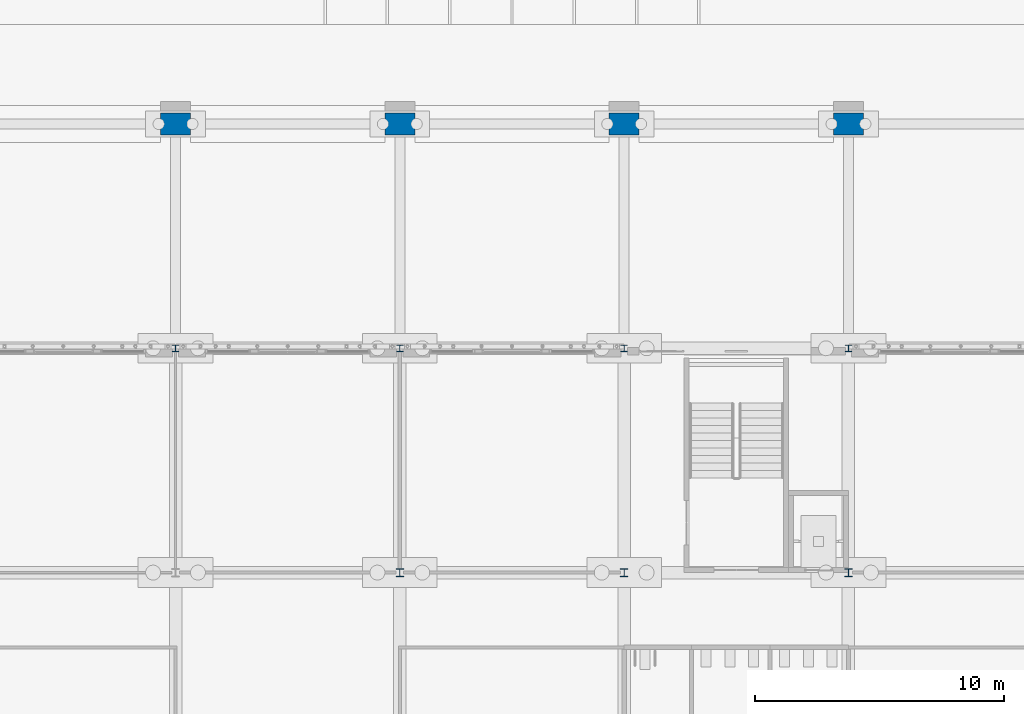
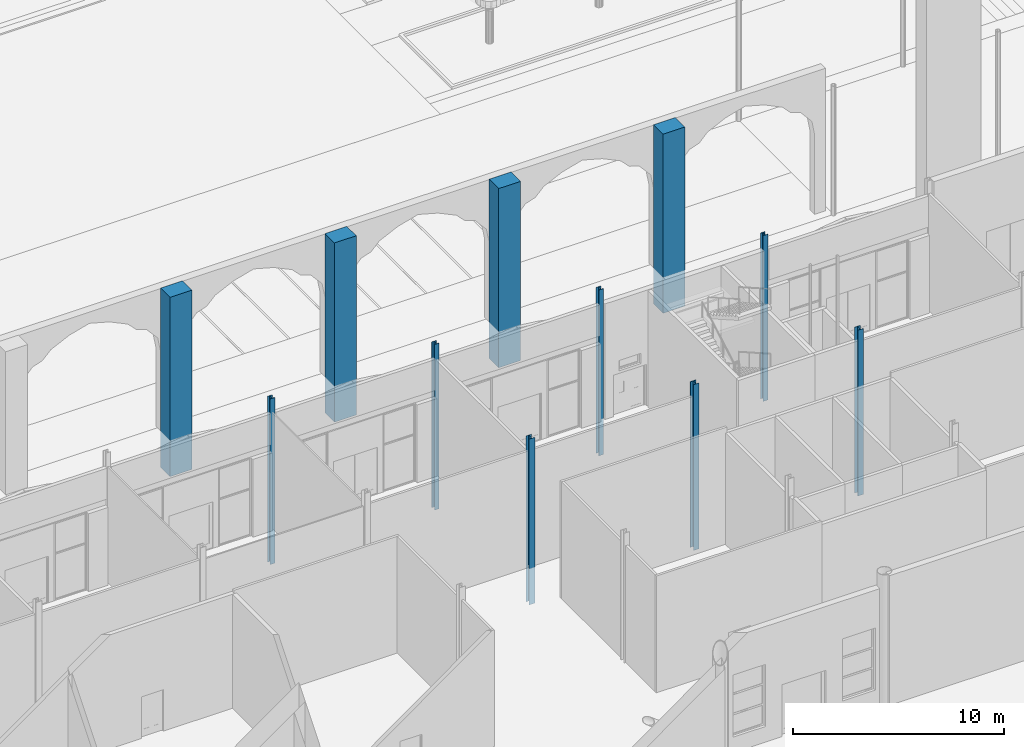
# One storey, part 19 of 250: 11 columns.
"""IFC4 building model written with IfcOpenShell, lengths in metres."""

from ifc_helpers import new_model, si_unit, direction, frame, origin, origin_2d, place, context, subcontext, project, spatial, rectangle, i_section, extrude, material, material_profile, profile_set, type_object, element, save


model = new_model("IFC4")

# Units and contexts
model_context = context("Model", 3, precision=1e-05, world=origin(), true_north=direction((0.0, 1.0)))
body_context = subcontext(model_context, "Body", "Model", "MODEL_VIEW")
ifc_project = project(units=[si_unit("LENGTHUNIT", "METRE"), si_unit("AREAUNIT", "SQUARE_METRE"), si_unit("VOLUMEUNIT", "CUBIC_METRE"), si_unit("PLANEANGLEUNIT", "RADIAN"), si_unit("MASSUNIT", "GRAM", prefix="KILO")], contexts=[model_context])

# Site, building, storey
site_placement = place(None, origin())
site = spatial("IfcSite", under=ifc_project, at=site_placement, CompositionType="ELEMENT")
building_placement = place(site_placement, origin())
building = spatial("IfcBuilding", under=site, at=building_placement, Name="Baradari Gate Terminus", CompositionType="ELEMENT")
storey_placement = place(building_placement, origin())
storey = spatial("IfcBuildingStorey", under=building, at=storey_placement, Name="L00", CompositionType="ELEMENT", Elevation=0.0)

# Columns
ifc_material_1 = material(Name="Concrete C40/50", Category="concrete")
ifc_material_profile_1 = material_profile(ifc_material_1, rectangle(XDim=1.199951171875, YDim=0.89990234375, at=origin_2d()), Name="RC1200X900")
ifc_profile_set_1 = profile_set([ifc_material_profile_1], Name="Concrete C40/50")
column_type_1 = type_object("IfcColumnType", Name="Arcade pier AP01 RC1200X900", PredefinedType="COLUMN", material=ifc_profile_set_1)
for number, where, z_axis, x_axis, name in (
    (1, (99.0, 117.0, -2.10009765625), (0.0, 0.0, 1.0), (1.0, 0.0, 0.0), "AP01 column 12-P L00"),
    (2, (108.0, 117.0, -2.10009765625), (0.0, 0.0, 1.0), (1.0, 0.0, 0.0), "AP01 column 13-P L00"),
    (3, (117.0, 117.0, -2.10009765625), (0.0, 0.0, 1.0), (1.0, 0.0, 0.0), "AP01 column 14-P L00"),
    (4, (126.0, 117.0, -2.10009765625), (0.0, 0.0, 1.0), (1.0, 0.0, 0.0), "AP01 column 15-P L00"),
):
    element("IfcColumn", number, at=place(storey_placement, frame(where, z_axis=z_axis, x_axis=x_axis)), inside=storey, type_object=column_type_1, Name=name, PredefinedType="COLUMN", context=body_context, shape_type="SweptSolid", body=[
        extrude(rectangle(XDim=1.199951171875, YDim=0.89990234375, at=origin_2d()), origin(), (0.0, 0.0, 1.0), 10.380126953125),
    ])
ifc_material_2 = material(Name="Steel S355", Category="steel")
ifc_material_profile_2 = material_profile(ifc_material_2, i_section(OverallWidth=0.307373046875, OverallDepth=0.314453125, WebThickness=0.011962890625, FlangeThickness=0.018798828125, FilletRadius=0.01513671875, at=origin_2d()), Name="UC 305x305x118")
ifc_profile_set_2 = profile_set([ifc_material_profile_2], Name="Steel S355")
column_type_2 = type_object("IfcColumnType", Name="Head-house column C07 UC 305x305x118", PredefinedType="COLUMN", material=ifc_profile_set_2)
for number, where, z_axis, x_axis, name in (
    (5, (108.0, 99.0, -2.10009765625), (0.0, 0.0, 1.0), (1.0, 0.0, 0.0), "C07 column 13-M L00"),
    (6, (117.0, 99.0, -2.10009765625), (0.0, 0.0, 1.0), (1.0, 0.0, 0.0), "C07 column 14-M L00"),
    (7, (126.0, 99.0, -2.10009765625), (0.0, 0.0, 1.0), (1.0, 0.0, 0.0), "C07 column 15-M L00"),
):
    element("IfcColumn", number, at=place(storey_placement, frame(where, z_axis=z_axis, x_axis=x_axis)), inside=storey, type_object=column_type_2, Name=name, PredefinedType="COLUMN", context=body_context, shape_type="SweptSolid", body=[
        extrude(i_section(OverallWidth=0.307373046875, OverallDepth=0.314453125, WebThickness=0.011962890625, FlangeThickness=0.018798828125, FilletRadius=0.01513671875, at=origin_2d()), origin(), (0.0, 0.0, 1.0), 9.60009765625),
    ])
ifc_material_3 = material(Name="Steel S355", Category="steel")
ifc_material_profile_3 = material_profile(ifc_material_3, i_section(OverallWidth=0.25634765625, OverallDepth=0.26025390625, WebThickness=0.01025390625, FlangeThickness=0.017333984375, FilletRadius=0.0126953125, at=origin_2d()), Name="UC 254x254x89")
ifc_profile_set_3 = profile_set([ifc_material_profile_3], Name="Steel S355")
column_type_3 = type_object("IfcColumnType", Name="Head-house facade column C08 UC 254x254x89", PredefinedType="COLUMN", material=ifc_profile_set_3)
for number, where, z_axis, x_axis, name in (
    (8, (99.0, 108.0, -2.10009765625), (0.0, 0.0, 1.0), (1.0, 0.0, 0.0), "C08 column 12-N L00"),
    (9, (108.0, 108.0, -2.10009765625), (0.0, 0.0, 1.0), (1.0, 0.0, 0.0), "C08 column 13-N L00"),
    (10, (117.0, 108.0, -2.10009765625), (0.0, 0.0, 1.0), (1.0, 0.0, 0.0), "C08 column 14-N L00"),
    (11, (126.0, 108.0, -2.10009765625), (0.0, 0.0, 1.0), (1.0, 0.0, 0.0), "C08 column 15-N L00"),
):
    element("IfcColumn", number, at=place(storey_placement, frame(where, z_axis=z_axis, x_axis=x_axis)), inside=storey, type_object=column_type_3, Name=name, PredefinedType="COLUMN", context=body_context, shape_type="SweptSolid", body=[
        extrude(i_section(OverallWidth=0.25634765625, OverallDepth=0.26025390625, WebThickness=0.01025390625, FlangeThickness=0.017333984375, FilletRadius=0.0126953125, at=origin_2d()), origin(), (0.0, 0.0, 1.0), 9.60009765625),
    ])

save(model, "model.ifc")
